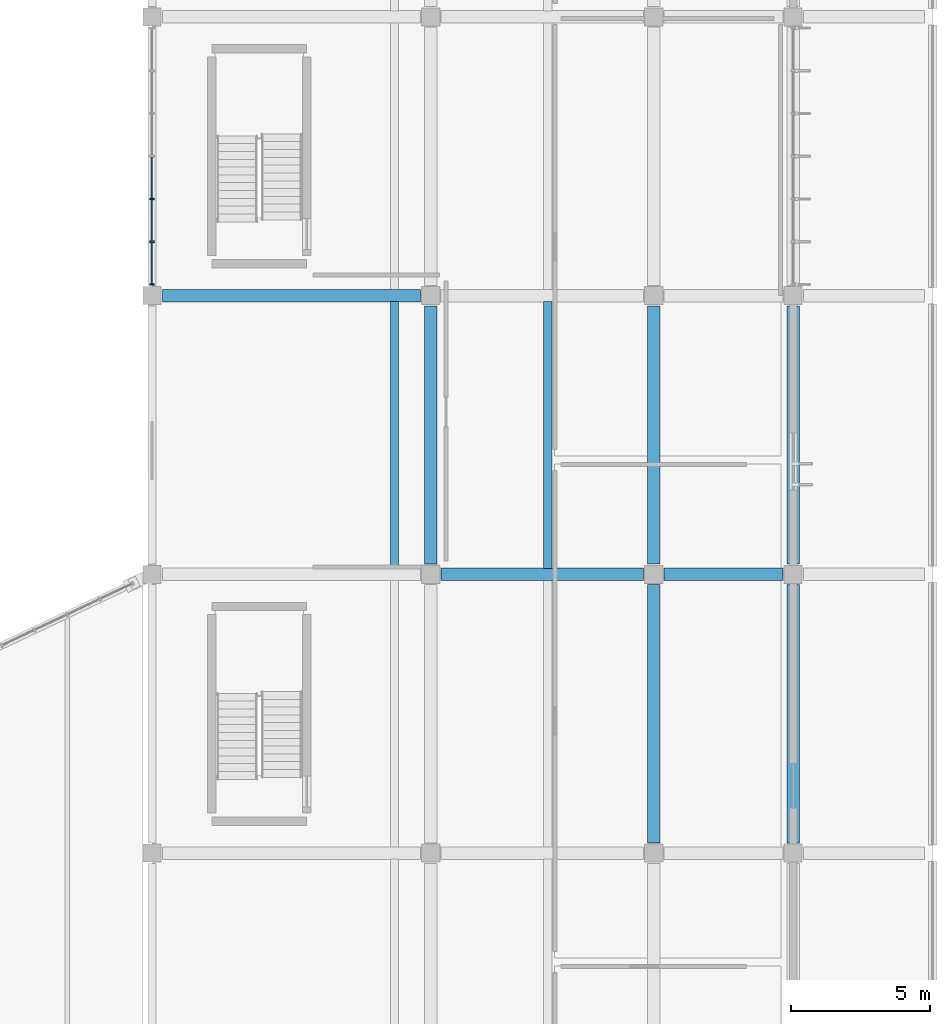
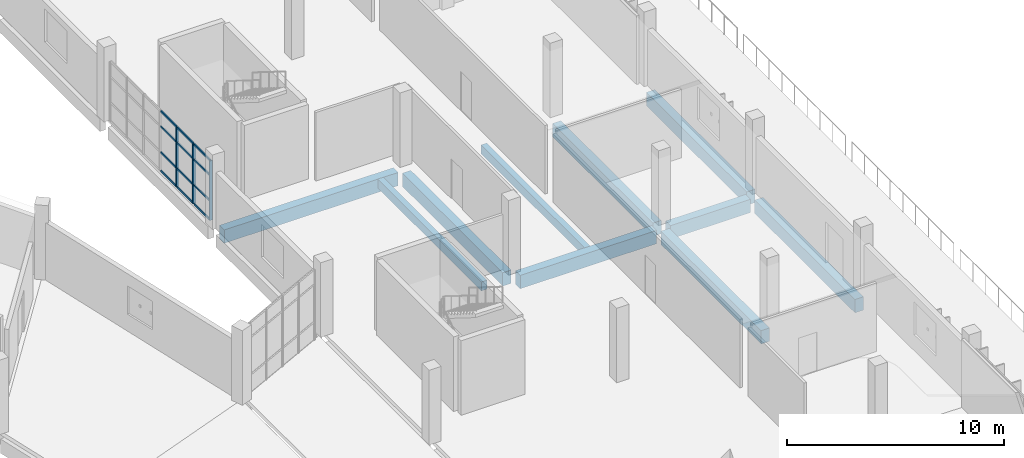
# One storey, part 66 of 142: 15 members, 10 beams, 1 element without a shape of its own.
"""IFC4 building model written with IfcOpenShell, lengths in metres."""

from ifc_helpers import new_model, si_unit, direction, frame, origin, origin_2d, place, context, subcontext, project, spatial, rectangle, extrude, material, layer, layer_set, material_profile, profile_set, type_object, element, aggregate, save


model = new_model("IFC4")

# Units and contexts
model_context = context("Model", 3, precision=1e-05, world=origin(), true_north=direction((0.0, 1.0)))
body_context = subcontext(model_context, "Body", "Model", "MODEL_VIEW")
ifc_project = project(units=[si_unit("LENGTHUNIT", "METRE"), si_unit("AREAUNIT", "SQUARE_METRE"), si_unit("VOLUMEUNIT", "CUBIC_METRE"), si_unit("PLANEANGLEUNIT", "RADIAN"), si_unit("MASSUNIT", "GRAM", prefix="KILO")], contexts=[model_context])

# Site, building, storey
site_placement = place(None, origin())
site = spatial("IfcSite", under=ifc_project, at=site_placement, CompositionType="ELEMENT")
building_placement = place(site_placement, origin())
building = spatial("IfcBuilding", under=site, at=building_placement, Name="Corvandel Quay Wholesale Market", CompositionType="ELEMENT")
storey_placement = place(building_placement, frame((0.0, 0.0, 10.800048828125)))
storey = spatial("IfcBuildingStorey", under=building, at=storey_placement, Name="L02", CompositionType="ELEMENT", Elevation=10.800048828125)

# Curtain wall, members
ifc_material_1 = material(Name="Bronze anodised aluminium and low-E insulated glazing", Category="aluminium")
ifc_layer = layer(ifc_material_1, 0.162109375)
ifc_layer_set = layer_set([ifc_layer], Name="Bronze anodised aluminium and low-E insulated glazing")
curtain_wall_type = type_object("IfcCurtainWallType", Name="Stick Curtain Wall System CW26 H5340", PredefinedType="NOTDEFINED", material=ifc_layer_set)
curtain_wall_placement = place(storey_placement, origin())
curtain_wall = element("IfcCurtainWall", 1, at=curtain_wall_placement, inside=storey, type_object=curtain_wall_type, Name="Curtain Wall CW-0161", PredefinedType="NOTDEFINED")
ifc_material_2 = material(Name="Anodised aluminium 6063-T6", Category="aluminium")
ifc_material_profile_1 = material_profile(ifc_material_2, rectangle(XDim=0.06494140625, YDim=0.14990234375, at=origin_2d()), Name="ALU-MUL-65x150")
ifc_profile_set_1 = profile_set([ifc_material_profile_1], Name="Anodised aluminium 6063-T6")
member_type_1 = type_object("IfcMemberType", Name="Curtain Wall Mullion ML02 65x150", PredefinedType="MULLION", material=ifc_profile_set_1)
member_1_placement = place(storey_placement, frame((220.0, 80.39990234375, 0.0), z_axis=(0.0, 0.0, 1.0), x_axis=(0.0, 1.0, 0.0)))
member_1 = element("IfcMember", 2, at=member_1_placement, type_object=member_type_1, Name="Mullion CW-0161-M00", PredefinedType="MULLION", context=body_context, shape_type="SweptSolid", body=[
    extrude(rectangle(XDim=0.06494140625, YDim=0.14990234375, at=origin_2d()), origin(), (0.0, 0.0, 1.0), 3.349853515625),
])
member_2_placement = place(storey_placement, frame((220.0, 81.933349609375, 0.0), z_axis=(0.0, 0.0, 1.0), x_axis=(0.0, 1.0, 0.0)))
member_2 = element("IfcMember", 3, at=member_2_placement, type_object=member_type_1, Name="Mullion CW-0161-M01", PredefinedType="MULLION", context=body_context, shape_type="SweptSolid", body=[
    extrude(rectangle(XDim=0.06494140625, YDim=0.14990234375, at=origin_2d()), origin(), (0.0, 0.0, 1.0), 3.349853515625),
])
member_3_placement = place(storey_placement, frame((220.0, 83.466796875, 0.0), z_axis=(0.0, 0.0, 1.0), x_axis=(0.0, 1.0, 0.0)))
member_3 = element("IfcMember", 4, at=member_3_placement, type_object=member_type_1, Name="Mullion CW-0161-M02", PredefinedType="MULLION", context=body_context, shape_type="SweptSolid", body=[
    extrude(rectangle(XDim=0.06494140625, YDim=0.14990234375, at=origin_2d()), origin(), (0.0, 0.0, 1.0), 3.349853515625),
])
ifc_material_profile_2 = material_profile(ifc_material_2, rectangle(XDim=0.06005859375, YDim=0.110107421875, at=origin_2d()), Name="ALU-TRN-60x110")
ifc_profile_set_2 = profile_set([ifc_material_profile_2], Name="Anodised aluminium 6063-T6")
member_type_2 = type_object("IfcMemberType", Name="Curtain Wall Transom TR02 60x110", PredefinedType="USERDEFINED", material=ifc_profile_set_2)
member_4_placement = place(storey_placement, frame((220.0, 80.4326171875, 0.0), z_axis=(0.0, 1.0, 0.0), x_axis=(-1.0, 0.0, 0.0)))
member_4 = element("IfcMember", 5, at=member_4_placement, type_object=member_type_2, Name="Transom CW-0161-T00-0", ObjectType="TRANSOM", PredefinedType="USERDEFINED", context=body_context, shape_type="SweptSolid", body=[
    extrude(rectangle(XDim=0.06005859375, YDim=0.110107421875, at=origin_2d()), origin(), (0.0, 0.0, 1.0), 1.46826171875),
])
member_5_placement = place(storey_placement, frame((220.0, 80.4326171875, 1.050048828125), z_axis=(0.0, 1.0, 0.0), x_axis=(-1.0, 0.0, 0.0)))
member_5 = element("IfcMember", 6, at=member_5_placement, type_object=member_type_2, Name="Transom CW-0161-T00-1", ObjectType="TRANSOM", PredefinedType="USERDEFINED", context=body_context, shape_type="SweptSolid", body=[
    extrude(rectangle(XDim=0.06005859375, YDim=0.110107421875, at=origin_2d()), origin(), (0.0, 0.0, 1.0), 1.46826171875),
])
member_6_placement = place(storey_placement, frame((220.0, 80.4326171875, 2.5), z_axis=(0.0, 1.0, 0.0), x_axis=(-1.0, 0.0, 0.0)))
member_6 = element("IfcMember", 7, at=member_6_placement, type_object=member_type_2, Name="Transom CW-0161-T00-2", ObjectType="TRANSOM", PredefinedType="USERDEFINED", context=body_context, shape_type="SweptSolid", body=[
    extrude(rectangle(XDim=0.06005859375, YDim=0.110107421875, at=origin_2d()), origin(), (0.0, 0.0, 1.0), 1.46826171875),
])
member_7_placement = place(storey_placement, frame((220.0, 80.4326171875, 3.349853515625), z_axis=(0.0, 1.0, 0.0), x_axis=(-1.0, 0.0, 0.0)))
member_7 = element("IfcMember", 8, at=member_7_placement, type_object=member_type_2, Name="Transom CW-0161-T00-3", ObjectType="TRANSOM", PredefinedType="USERDEFINED", context=body_context, shape_type="SweptSolid", body=[
    extrude(rectangle(XDim=0.06005859375, YDim=0.110107421875, at=origin_2d()), origin(), (0.0, 0.0, 1.0), 1.46826171875),
])
member_8_placement = place(storey_placement, frame((220.0, 81.9658203125, 0.0), z_axis=(0.0, 1.0, 0.0), x_axis=(-1.0, 0.0, 0.0)))
member_8 = element("IfcMember", 9, at=member_8_placement, type_object=member_type_2, Name="Transom CW-0161-T01-0", ObjectType="TRANSOM", PredefinedType="USERDEFINED", context=body_context, shape_type="SweptSolid", body=[
    extrude(rectangle(XDim=0.06005859375, YDim=0.110107421875, at=origin_2d()), origin(), (0.0, 0.0, 1.0), 1.46826171875),
])
member_9_placement = place(storey_placement, frame((220.0, 81.9658203125, 1.050048828125), z_axis=(0.0, 1.0, 0.0), x_axis=(-1.0, 0.0, 0.0)))
member_9 = element("IfcMember", 10, at=member_9_placement, type_object=member_type_2, Name="Transom CW-0161-T01-1", ObjectType="TRANSOM", PredefinedType="USERDEFINED", context=body_context, shape_type="SweptSolid", body=[
    extrude(rectangle(XDim=0.06005859375, YDim=0.110107421875, at=origin_2d()), origin(), (0.0, 0.0, 1.0), 1.46826171875),
])
member_10_placement = place(storey_placement, frame((220.0, 81.9658203125, 2.5), z_axis=(0.0, 1.0, 0.0), x_axis=(-1.0, 0.0, 0.0)))
member_10 = element("IfcMember", 11, at=member_10_placement, type_object=member_type_2, Name="Transom CW-0161-T01-2", ObjectType="TRANSOM", PredefinedType="USERDEFINED", context=body_context, shape_type="SweptSolid", body=[
    extrude(rectangle(XDim=0.06005859375, YDim=0.110107421875, at=origin_2d()), origin(), (0.0, 0.0, 1.0), 1.46826171875),
])
member_11_placement = place(storey_placement, frame((220.0, 81.9658203125, 3.349853515625), z_axis=(0.0, 1.0, 0.0), x_axis=(-1.0, 0.0, 0.0)))
member_11 = element("IfcMember", 12, at=member_11_placement, type_object=member_type_2, Name="Transom CW-0161-T01-3", ObjectType="TRANSOM", PredefinedType="USERDEFINED", context=body_context, shape_type="SweptSolid", body=[
    extrude(rectangle(XDim=0.06005859375, YDim=0.110107421875, at=origin_2d()), origin(), (0.0, 0.0, 1.0), 1.46826171875),
])
member_12_placement = place(storey_placement, frame((220.0, 83.499267578125, 0.0), z_axis=(0.0, 1.0, 0.0), x_axis=(-1.0, 0.0, 0.0)))
member_12 = element("IfcMember", 13, at=member_12_placement, type_object=member_type_2, Name="Transom CW-0161-T02-0", ObjectType="TRANSOM", PredefinedType="USERDEFINED", context=body_context, shape_type="SweptSolid", body=[
    extrude(rectangle(XDim=0.06005859375, YDim=0.110107421875, at=origin_2d()), origin(), (0.0, 0.0, 1.0), 1.46826171875),
])
member_13_placement = place(storey_placement, frame((220.0, 83.499267578125, 1.050048828125), z_axis=(0.0, 1.0, 0.0), x_axis=(-1.0, 0.0, 0.0)))
member_13 = element("IfcMember", 14, at=member_13_placement, type_object=member_type_2, Name="Transom CW-0161-T02-1", ObjectType="TRANSOM", PredefinedType="USERDEFINED", context=body_context, shape_type="SweptSolid", body=[
    extrude(rectangle(XDim=0.06005859375, YDim=0.110107421875, at=origin_2d()), origin(), (0.0, 0.0, 1.0), 1.46826171875),
])
member_14_placement = place(storey_placement, frame((220.0, 83.499267578125, 2.5), z_axis=(0.0, 1.0, 0.0), x_axis=(-1.0, 0.0, 0.0)))
member_14 = element("IfcMember", 15, at=member_14_placement, type_object=member_type_2, Name="Transom CW-0161-T02-2", ObjectType="TRANSOM", PredefinedType="USERDEFINED", context=body_context, shape_type="SweptSolid", body=[
    extrude(rectangle(XDim=0.06005859375, YDim=0.110107421875, at=origin_2d()), origin(), (0.0, 0.0, 1.0), 1.46826171875),
])
member_15_placement = place(storey_placement, frame((220.0, 83.499267578125, 3.349853515625), z_axis=(0.0, 1.0, 0.0), x_axis=(-1.0, 0.0, 0.0)))
member_15 = element("IfcMember", 16, at=member_15_placement, type_object=member_type_2, Name="Transom CW-0161-T02-3", ObjectType="TRANSOM", PredefinedType="USERDEFINED", context=body_context, shape_type="SweptSolid", body=[
    extrude(rectangle(XDim=0.06005859375, YDim=0.110107421875, at=origin_2d()), origin(), (0.0, 0.0, 1.0), 1.46826171875),
])
aggregate(curtain_wall, [member_1, member_2, member_3, member_4, member_5, member_6, member_7, member_8, member_9, member_10, member_11, member_12, member_13, member_14, member_15])

# Beams
ifc_material_3 = material(Name="Precast concrete C45/55", Category="concrete")
ifc_material_profile_3 = material_profile(ifc_material_3, rectangle(XDim=0.300048828125, YDim=0.5, at=origin_2d()), Name="PC-BM-300x500")
ifc_profile_set_3 = profile_set([ifc_material_profile_3], Name="Precast concrete C45/55")
beam_type_1 = type_object("IfcBeamType", Name="Office Floor Secondary Beam B04 300x500", PredefinedType="BEAM", material=ifc_profile_set_3)
for number, where, z_axis, x_axis, name in (
    (17, (228.699951171875, 70.215087890625, -0.570068359375), (0.0, 1.0, 0.0), (-1.0, 0.0, 0.0), "Beam BM-1606"),
    (18, (234.199951171875, 70.215087890625, -0.570068359375), (0.0, 1.0, 0.0), (-1.0, 0.0, 0.0), "Beam BM-1607"),
):
    element("IfcBeam", number, at=place(storey_placement, frame(where, z_axis=z_axis, x_axis=x_axis)), inside=storey, type_object=beam_type_1, Name=name, PredefinedType="BEAM", context=body_context, shape_type="SweptSolid", body=[
        extrude(rectangle(XDim=0.300048828125, YDim=0.5, at=origin_2d()), origin(), (0.0, 0.0, 1.0), 9.56982421875),
    ])
ifc_material_profile_4 = material_profile(ifc_material_3, rectangle(XDim=0.449951171875, YDim=0.75, at=origin_2d()), Name="PC-GIR-450x750")
ifc_profile_set_4 = profile_set([ifc_material_profile_4], Name="Precast concrete C45/55")
beam_type_2 = type_object("IfcBeamType", Name="Waterfront Office Girder G06 450x750", PredefinedType="USERDEFINED", material=ifc_profile_set_4)
beam_1_placement = place(storey_placement, frame((230.3701171875, 70.0, -0.695068359375), z_axis=(1.0, 0.0, 0.0), x_axis=(0.0, 1.0, 0.0)))
element("IfcBeam", 19, at=beam_1_placement, inside=storey, type_object=beam_type_2, Name="Beam BM-1534", ObjectType="GIRDER", PredefinedType="USERDEFINED", context=body_context, shape_type="SweptSolid", body=[
    extrude(rectangle(XDim=0.449951171875, YDim=0.75, at=origin_2d()), origin(), (0.0, 0.0, 1.0), 7.259765625),
])
beam_2_placement = place(storey_placement, frame((238.3701171875, 70.0, -0.695068359375), z_axis=(1.0, 0.0, 0.0), x_axis=(0.0, 1.0, 0.0)))
element("IfcBeam", 20, at=beam_2_placement, inside=storey, type_object=beam_type_2, Name="Beam BM-1535", ObjectType="GIRDER", PredefinedType="USERDEFINED", context=body_context, shape_type="SweptSolid", body=[
    extrude(rectangle(XDim=0.449951171875, YDim=0.75, at=origin_2d()), origin(), (0.0, 0.0, 1.0), 4.259765625),
])
for number, where, z_axis, x_axis, name in (
    (21, (220.3701171875, 80.0, -0.695068359375), (1.0, 0.0, 0.0), (0.0, 1.0, 0.0), "Beam BM-1537"),
    (22, (230.0, 70.3701171875, -0.695068359375), (0.0, 1.0, 0.0), (-1.0, 0.0, 0.0), "Beam BM-1564"),
    (23, (238.0, 60.3701171875, -0.695068359375), (0.0, 1.0, 0.0), (-1.0, 0.0, 0.0), "Beam BM-1572"),
    (24, (238.0, 70.3701171875, -0.695068359375), (0.0, 1.0, 0.0), (-1.0, 0.0, 0.0), "Beam BM-1573"),
    (25, (243.0, 60.3701171875, -0.695068359375), (0.0, 1.0, 0.0), (-1.0, 0.0, 0.0), "Beam BM-1581"),
    (26, (243.0, 70.3701171875, -0.695068359375), (0.0, 1.0, 0.0), (-1.0, 0.0, 0.0), "Beam BM-1582"),
):
    element("IfcBeam", number, at=place(storey_placement, frame(where, z_axis=z_axis, x_axis=x_axis)), inside=storey, type_object=beam_type_2, Name=name, ObjectType="GIRDER", PredefinedType="USERDEFINED", context=body_context, shape_type="SweptSolid", body=[
        extrude(rectangle(XDim=0.449951171875, YDim=0.75, at=origin_2d()), origin(), (0.0, 0.0, 1.0), 9.259765625),
    ])

save(model, "model.ifc")
